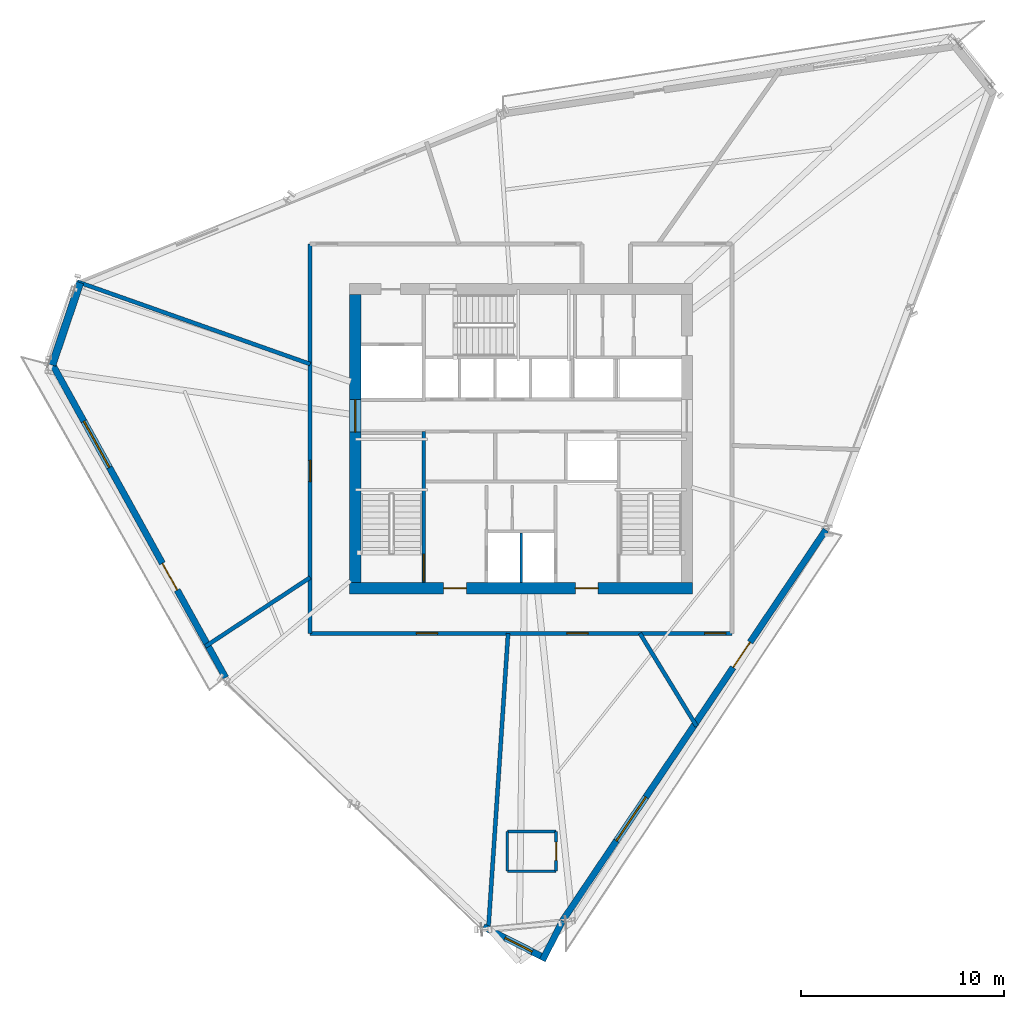
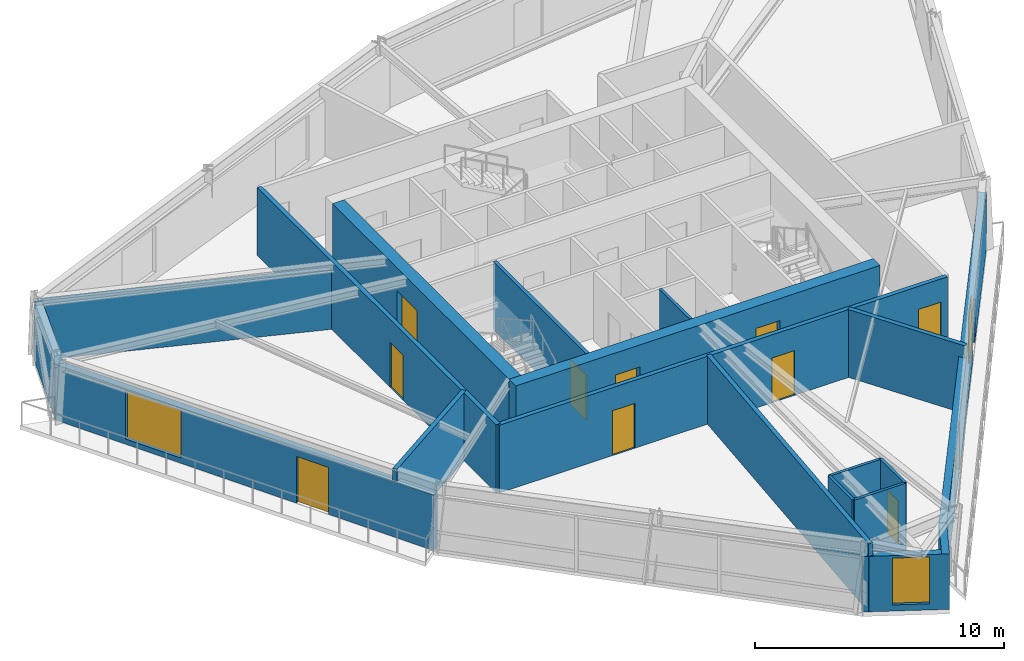
# One storey, part 8 of 13: 19 walls, 11 doors, 3 windows, 14 openings.
"""IFC4 building model written with IfcOpenShell, lengths in metres."""

import ifcopenshell
import ifcopenshell.guid

model = None  # the IFC model being written
_history = None  # IfcOwnerHistory: only IFC2X3 demands one
_inside = {}  # id of a spatial element -> (the spatial element, [elements in it])
_under = {}  # id of a project, library or spatial element -> (it, [spatial elements below it])
_declared = {}  # id of a project -> (the project, [libraries it declares])
_typed = {}  # id of a type object -> (the type object, [elements of that type])
_made_of = {}  # id of a material, layer set ... -> (it, [elements and type objects made of it])


def new_model(schema):
    """Start an empty IFC model of exactly this schema.

    Asked for "IFC4X3", IfcOpenShell would pick the latest addendum, in which some entities
    have other attributes; the version numbers below select the first issue.
    IFC2X3 requires an IfcOwnerHistory on every rooted entity: one is made here for all.
    """
    global model, _history
    if schema == "IFC4X3":
        model = ifcopenshell.file(schema_version=(4, 3, 0, 0))
    else:
        model = ifcopenshell.file(schema=schema)
    _inside.clear()
    _under.clear()
    _declared.clear()
    _typed.clear()
    _made_of.clear()
    _history = None
    if model.schema == "IFC2X3":
        org = make("IfcOrganization", Name="unknown")
        user = make(
            "IfcPersonAndOrganization",
            ThePerson=make("IfcPerson", FamilyName="unknown"),
            TheOrganization=org,
        )
        app = make(
            "IfcApplication",
            ApplicationDeveloper=org,
            Version="unknown",
            ApplicationFullName="unknown",
            ApplicationIdentifier="unknown",
        )
        _history = make(
            "IfcOwnerHistory",
            OwningUser=user,
            OwningApplication=app,
            ChangeAction="ADDED",
            CreationDate=0,
        )
    return model


def make(cls, **values):
    """One entity of the class cls with the attributes given. An attribute that is None is left unset."""
    return model.create_entity(
        cls, **{name: value for name, value in values.items() if value is not None}
    )


def rooted(cls, **values):
    """An entity with a GlobalId (a new one), such as an element, a storey or a relation."""
    return make(cls, GlobalId=ifcopenshell.guid.new(), OwnerHistory=_history, **values)


def si_unit(unit_type, name, prefix=None):
    """IfcSIUnit, for example si_unit("LENGTHUNIT", "METRE", prefix="MILLI")."""
    return make("IfcSIUnit", UnitType=unit_type, Prefix=prefix, Name=name)


def assignment(units):
    """IfcUnitAssignment: the units of a project."""
    return None if units is None else make("IfcUnitAssignment", Units=units)


def point(xyz):
    """IfcCartesianPoint."""
    return None if xyz is None else make("IfcCartesianPoint", Coordinates=xyz)


def direction(xyz):
    """IfcDirection."""
    return None if xyz is None else make("IfcDirection", DirectionRatios=xyz)


def frame(location, z_axis=None, x_axis=None):
    """IfcAxis2Placement3D, a coordinate frame: its origin and axes. An axis left out is left unset."""
    return make(
        "IfcAxis2Placement3D",
        Location=point(location),
        Axis=direction(z_axis),
        RefDirection=direction(x_axis),
    )


def frame_2d(location, x_axis=None):
    """IfcAxis2Placement2D, a coordinate frame in the plane: its origin and x axis."""
    return make(
        "IfcAxis2Placement2D", Location=point(location), RefDirection=direction(x_axis)
    )


def origin():
    """The frame at (0, 0, 0) with its axes left unset."""
    return frame((0.0, 0.0, 0.0))


def place(relative_to, where):
    """IfcLocalPlacement: puts the frame where relative to a parent placement (None: the world)."""
    return make(
        "IfcLocalPlacement", PlacementRelTo=relative_to, RelativePlacement=where
    )


def context(
    kind, dimensions, precision=None, world=None, true_north=None, identifier=None
):
    """IfcGeometricRepresentationContext, for example the 3D "Model" context."""
    return make(
        "IfcGeometricRepresentationContext",
        ContextIdentifier=identifier,
        ContextType=kind,
        CoordinateSpaceDimension=dimensions,
        Precision=precision,
        WorldCoordinateSystem=world,
        TrueNorth=true_north,
    )


def subcontext(parent, identifier, kind, view, scale=None):
    """IfcGeometricRepresentationSubContext, for example "Body" below "Model"."""
    return make(
        "IfcGeometricRepresentationSubContext",
        ContextIdentifier=identifier,
        ContextType=kind,
        ParentContext=parent,
        TargetScale=scale,
        TargetView=view,
    )


def project(units=None, contexts=None):
    """IfcProject with its units and contexts."""
    return rooted(
        "IfcProject",
        Name="project",
        RepresentationContexts=contexts,
        UnitsInContext=assignment(units),
    )


def spatial(cls, under=None, at=None, **own):
    """A site, building, storey or space (cls), placed at a placement, below another one or the project."""
    s = rooted(cls, ObjectPlacement=at, **own)
    if under is not None:
        _under.setdefault(under.id(), (under, []))[1].append(s)
    return s


def profile(cls, at=None, kind="AREA", **sizes):
    """A parametric profile (cls). Its sizes go by their IFC names, for example OverallWidth=200.0."""
    return make(cls, ProfileType=kind, Position=at, **sizes)


def rectangle(**sizes):
    """IfcRectangleProfileDef."""
    return profile("IfcRectangleProfileDef", **sizes)


def extrude(swept, where, along, depth):
    """IfcExtrudedAreaSolid: the profile swept, set in the frame where, extruded along a direction by depth."""
    return make(
        "IfcExtrudedAreaSolid",
        SweptArea=swept,
        Position=where,
        ExtrudedDirection=direction(along),
        Depth=depth,
    )


def shape(context_of_items, identifier, shape_type, items):
    """IfcShapeRepresentation: the items that make up one representation, for example the "Body"."""
    return make(
        "IfcShapeRepresentation",
        ContextOfItems=context_of_items,
        RepresentationIdentifier=identifier,
        RepresentationType=shape_type,
        Items=items,
    )


def source(mapping_origin, context_of_items, identifier, shape_type, items):
    """IfcRepresentationMap: a shape defined once, which mapped items show again and again."""
    return make(
        "IfcRepresentationMap",
        MappingOrigin=mapping_origin,
        MappedRepresentation=shape(context_of_items, identifier, shape_type, items),
    )


def transform(
    local_origin,
    x_axis=None,
    y_axis=None,
    z_axis=None,
    scale=None,
    scale2=None,
    scale3=None,
    uniform=True,
):
    """IfcCartesianTransformationOperator3D, or its non-uniform kind. x_axis, y_axis, z_axis: its Axis1, 2, 3."""
    if uniform:
        return make(
            "IfcCartesianTransformationOperator3D",
            Axis1=direction(x_axis),
            Axis2=direction(y_axis),
            LocalOrigin=point(local_origin),
            Scale=scale,
            Axis3=direction(z_axis),
        )
    return make(
        "IfcCartesianTransformationOperator3DnonUniform",
        Axis1=direction(x_axis),
        Axis2=direction(y_axis),
        LocalOrigin=point(local_origin),
        Scale=scale,
        Axis3=direction(z_axis),
        Scale2=scale2,
        Scale3=scale3,
    )


def mapped(mapping_source, mapping_target):
    """IfcMappedItem: shows the shape of a source again, moved by a transform."""
    return make(
        "IfcMappedItem", MappingSource=mapping_source, MappingTarget=mapping_target
    )


def material(Name=None, Category=None):
    """IfcMaterial."""
    return make("IfcMaterial", Name=Name, Category=Category)


def layer(
    of_material, thickness, ventilated=None, Name=None, Category=None, Priority=None
):
    """IfcMaterialLayer: one layer of a wall or slab, of a material (None: an air gap)."""
    return make(
        "IfcMaterialLayer",
        Material=of_material,
        LayerThickness=thickness,
        IsVentilated=ventilated,
        Name=Name,
        Category=Category,
        Priority=Priority,
    )


def layer_set(layers, Name=None):
    """IfcMaterialLayerSet."""
    return make("IfcMaterialLayerSet", MaterialLayers=layers, LayerSetName=Name)


def made_of(thing, what):
    """Note that an element or type object is made of a material, layer set ...; save() writes the relation."""
    if what is not None:
        _made_of.setdefault(what.id(), (what, []))[1].append(thing)
    return thing


def type_object(cls, material=None, **own):
    """A type object (cls), such as IfcWallType, which elements share."""
    return made_of(rooted(cls, **own), material)


def type_shapes(of_type, sources):
    """Give a type object the sources (RepresentationMaps) that its elements show as mapped items."""
    of_type.RepresentationMaps = sources


def element(
    cls,
    number,
    at=None,
    inside=None,
    cuts=None,
    type_object=None,
    material=None,
    context=None,
    identifier="Body",
    shape_type=None,
    held_by="IfcProductDefinitionShape",
    body=None,
    shapes=None,
    **own,
):
    """One element of the class cls, such as IfcWall. Its Tag is "e" and its number.

    at: its placement. inside: the storey or other place that contains it. cuts: it is an
    opening in that element (IfcRelVoidsElement). A single representation is given by context,
    identifier, shape_type and body (its items); several are given by shapes. held_by: the class
    of the entity that holds the representations. save() writes the other relations.
    """
    e = rooted(cls, Tag="e%d" % number, ObjectPlacement=at, **own)
    if body is not None:
        shapes = [shape(context, identifier, shape_type, body)]
    if shapes is not None:
        e.Representation = make(held_by, Representations=shapes)
    if inside is not None:
        _inside.setdefault(inside.id(), (inside, []))[1].append(e)
    if cuts is not None:
        rooted(
            "IfcRelVoidsElement", RelatingBuildingElement=cuts, RelatedOpeningElement=e
        )
    if type_object is not None:
        _typed.setdefault(type_object.id(), (type_object, []))[1].append(e)
    return made_of(e, material)


def fill(opening, filler):
    """IfcRelFillsElement: the door or window that sits in an opening."""
    return rooted(
        "IfcRelFillsElement",
        RelatingOpeningElement=opening,
        RelatedBuildingElement=filler,
    )


def aggregate(whole, parts):
    """IfcRelAggregates: a whole, such as a stair, and the parts it consists of."""
    return rooted("IfcRelAggregates", RelatingObject=whole, RelatedObjects=parts)


def save(model, path):
    """Write the relations noted so far, then the file.

    IfcRelAggregates (storeys below a building ...), IfcRelContainedInSpatialStructure (elements
    in a storey), IfcRelDefinesByType, IfcRelAssociatesMaterial and IfcRelDeclares: one each for
    every whole, place, type object, material and project.
    """
    for whole, parts in _under.values():
        aggregate(whole, parts)
    for where, things in _inside.values():
        rooted(
            "IfcRelContainedInSpatialStructure",
            RelatedElements=things,
            RelatingStructure=where,
        )
    for kind, things in _typed.values():
        rooted("IfcRelDefinesByType", RelatedObjects=things, RelatingType=kind)
    for what, things in _made_of.values():
        rooted("IfcRelAssociatesMaterial", RelatedObjects=things, RelatingMaterial=what)
    for by, libraries in _declared.values():
        rooted("IfcRelDeclares", RelatingContext=by, RelatedDefinitions=libraries)
    model.write(path)


model = new_model("IFC4")

# Units and contexts
model_context = context("Model", 3, precision=1e-05, world=origin(), true_north=direction((0.0, 1.0)))
body_context = subcontext(model_context, "Body", "Model", "MODEL_VIEW")
ifc_project = project(units=[si_unit("LENGTHUNIT", "METRE"), si_unit("AREAUNIT", "SQUARE_METRE"), si_unit("VOLUMEUNIT", "CUBIC_METRE"), si_unit("PLANEANGLEUNIT", "RADIAN"), si_unit("MASSUNIT", "GRAM", prefix="KILO")], contexts=[model_context])

# Site, building, storey
site_placement = place(None, origin())
site = spatial("IfcSite", under=ifc_project, at=site_placement, CompositionType="ELEMENT")
building_placement = place(site_placement, origin())
building = spatial("IfcBuilding", under=site, at=building_placement, Name="Olszyna Solenne Hotel", CompositionType="ELEMENT")
storey_placement = place(building_placement, frame((0.0, 0.0, 192.75)))
storey = spatial("IfcBuildingStorey", under=building, at=storey_placement, Name="L51", CompositionType="ELEMENT", Elevation=192.75)

# Wall, openings, doors
ifc_material_1 = material(Name="Concrete C50/60", Category="concrete")
ifc_layer_1 = layer(ifc_material_1, 0.550048828125, Name="Concrete C50/60")
ifc_layer_set_1 = layer_set([ifc_layer_1], Name="Concrete C50/60")
wall_type_1 = type_object("IfcWallType", Name="WL-CR550", PredefinedType="SHEAR", material=ifc_layer_set_1)
wall_1_placement = place(storey_placement, frame((46.449951171875, 19.22509765625, 0.0), z_axis=(0.0, 0.0, 1.0), x_axis=(-1.0, 0.0, 0.0)))
wall_1 = element("IfcWall", 1, at=wall_1_placement, inside=storey, type_object=wall_type_1, Name="Core shear wall WL-CR550 CRW-L51-S", PredefinedType="SHEAR", context=body_context, shape_type="SweptSolid", body=[
    extrude(rectangle(XDim=16.89990234375, YDim=0.550048828125, at=frame_2d((8.449951171875, 0.0))), origin(), (0.0, 0.0, 1.0), 3.330078125),
])
opening_1_placement = place(wall_1_placement, frame((4.64990234375, 0.0, 0.0)))
opening_1 = element("IfcOpeningElement", 2, at=opening_1_placement, cuts=wall_1, Name="Opening FL-L51-1", PredefinedType="OPENING", context=body_context, shape_type="SweptSolid", body=[
    extrude(rectangle(XDim=1.1201171875, YDim=2.25, at=frame_2d((0.56005859375, 1.125))), frame((0.0, 0.28515625, 0.0), z_axis=(0.0, -1.0, 0.0), x_axis=(1.0, 0.0, 0.0)), (0.0, 0.0, 1.0), 0.570068359375),
])
opening_2_placement = place(wall_1_placement, frame((11.14990234375, 0.0, 0.0)))
opening_2 = element("IfcOpeningElement", 3, at=opening_2_placement, cuts=wall_1, Name="Opening FL-L51-2", PredefinedType="OPENING", context=body_context, shape_type="SweptSolid", body=[
    extrude(rectangle(XDim=1.1201171875, YDim=2.25, at=frame_2d((0.56005859375, 1.125))), frame((0.0, 0.28515625, 0.0), z_axis=(0.0, -1.0, 0.0), x_axis=(1.0, 0.0, 0.0)), (0.0, 0.0, 1.0), 0.570068359375),
])
ifc_material_2 = material(Name="Steel S355J2", Category="steel")
door_type_1 = type_object("IfcDoorType", Name="DR-FL1", OperationType="NOTDEFINED", PredefinedType="DOOR", material=ifc_material_2)
shared_shape_1 = source(origin(), body_context, "Body", "SweptSolid", [
    extrude(rectangle(XDim=1.1201171875, YDim=2.25, at=frame_2d((0.56005859375, 1.125))), frame((0.0, 0.02490234375, 0.0), z_axis=(0.0, -1.0, 0.0), x_axis=(1.0, 0.0, 0.0)), (0.0, 0.0, 1.0), 0.050048828125),
])
type_shapes(door_type_1, [shared_shape_1])
door_1_placement = place(opening_1_placement, origin())
door_1 = element("IfcDoor", 4, at=door_1_placement, inside=storey, type_object=door_type_1, Name="Firefighting lift lobby smoke door FL-L51-1", OperationType="SINGLE_SWING_LEFT", OverallHeight=2.25, OverallWidth=1.1201171875, PredefinedType="DOOR", context=body_context, shape_type="MappedRepresentation", body=[
    mapped(shared_shape_1, transform((0.0, 0.0, 0.0), x_axis=(1.0, 0.0, 0.0), y_axis=(0.0, 1.0, 0.0), z_axis=(0.0, 0.0, 1.0), scale=1.0)),
])
fill(opening_1, door_1)
door_2_placement = place(opening_2_placement, origin())
door_2 = element("IfcDoor", 5, at=door_2_placement, inside=storey, type_object=door_type_1, Name="Firefighting lift lobby smoke door FL-L51-2", OperationType="SINGLE_SWING_RIGHT", OverallHeight=2.25, OverallWidth=1.1201171875, PredefinedType="DOOR", context=body_context, shape_type="MappedRepresentation", body=[
    mapped(shared_shape_1, transform((0.0, 0.0, 0.0), x_axis=(1.0, 0.0, 0.0), y_axis=(0.0, 1.0, 0.0), z_axis=(0.0, 0.0, 1.0), scale=1.0)),
])
fill(opening_2, door_2)

# Wall, opening, door
wall_2_placement = place(storey_placement, frame((29.824951171875, 19.5, 0.0), z_axis=(0.0, 0.0, 1.0), x_axis=(0.0, 1.0, 0.0)))
wall_2 = element("IfcWall", 6, at=wall_2_placement, inside=storey, type_object=wall_type_1, Name="Core shear wall WL-CR550 CRW-L51-W", PredefinedType="SHEAR", context=body_context, shape_type="SweptSolid", body=[
    extrude(rectangle(XDim=14.199951171875, YDim=0.550048828125, at=frame_2d((7.10009765625, 0.0))), origin(), (0.0, 0.0, 1.0), 3.330078125),
])
opening_3_placement = place(wall_2_placement, frame((7.419921875, 0.0, 0.0)))
opening_3 = element("IfcOpeningElement", 7, at=opening_3_placement, cuts=wall_2, Name="Opening LHD-L51-W", PredefinedType="OPENING", context=body_context, shape_type="SweptSolid", body=[
    extrude(rectangle(XDim=1.60009765625, YDim=2.199951171875, at=frame_2d((0.800048828125, 1.10009765625))), frame((0.0, 0.28515625, 0.0), z_axis=(0.0, -1.0, 0.0), x_axis=(1.0, 0.0, 0.0)), (0.0, 0.0, 1.0), 0.570068359375),
])
ifc_material_3 = material(Name="Timber hardwood", Category="wood")
door_type_2 = type_object("IfcDoorType", Name="DR-CR1", OperationType="DOUBLE_DOOR_SINGLE_SWING", PredefinedType="DOOR", material=ifc_material_3)
shared_shape_2 = source(origin(), body_context, "Body", "SweptSolid", [
    extrude(rectangle(XDim=1.60009765625, YDim=2.199951171875, at=frame_2d((0.800048828125, 1.10009765625))), frame((0.0, 0.02490234375, 0.0), z_axis=(0.0, -1.0, 0.0), x_axis=(1.0, 0.0, 0.0)), (0.0, 0.0, 1.0), 0.050048828125),
])
type_shapes(door_type_2, [shared_shape_2])
door_3_placement = place(opening_3_placement, origin())
door_3 = element("IfcDoor", 8, at=door_3_placement, inside=storey, type_object=door_type_2, Name="Passenger lift lobby West fire door LHD-L51-W", OperationType="DOUBLE_DOOR_SINGLE_SWING", OverallHeight=2.199951171875, OverallWidth=1.60009765625, PredefinedType="DOOR", context=body_context, shape_type="MappedRepresentation", body=[
    mapped(shared_shape_2, transform((0.0, 0.0, 0.0), x_axis=(1.0, 0.0, 0.0), y_axis=(0.0, 1.0, 0.0), z_axis=(0.0, 0.0, 1.0), scale=1.0)),
])
fill(opening_3, door_3)

# Wall, openings, door, window
ifc_material_4 = material(Name="Precast concrete C45/55", Category="concrete")
ifc_layer_2 = layer(ifc_material_4, 0.320068359375, Name="Precast concrete C45/55")
ifc_layer_set_2 = layer_set([ifc_layer_2], Name="Precast concrete C45/55")
wall_type_2 = type_object("IfcWallType", Name="WL-EX320", PredefinedType="SOLIDWALL", material=ifc_layer_set_2)
wall_3_placement = place(storey_placement, frame((53.02587890625, 22.103759765625, 0.0), z_axis=(0.0, 0.0, 1.0), x_axis=(-0.558570859801, -0.829456806941, 0.0)))
wall_3 = element("IfcWall", 9, at=wall_3_placement, inside=storey, type_object=wall_type_2, Name="Exterior terracotta-precast frame wall WL-EX320 EW-L51-01", PredefinedType="SOLIDWALL", context=body_context, shape_type="SweptSolid", body=[
    extrude(rectangle(XDim=23.223876953125, YDim=0.320068359375, at=frame_2d((11.61181640625, 0.0))), origin(), (0.0, 0.0, 1.0), 2.721923828125),
])
opening_4_placement = place(wall_3_placement, frame((6.681884765625, 0.0, 0.0)))
opening_4 = element("IfcOpeningElement", 10, at=opening_4_placement, cuts=wall_3, Name="Opening LDG-L51-3", PredefinedType="OPENING", context=body_context, shape_type="SweptSolid", body=[
    extrude(rectangle(XDim=1.5, YDim=2.300048828125, at=frame_2d((0.75, 1.14990234375))), frame((0.0, 0.169921875, 0.0), z_axis=(0.0, -1.0, 0.0), x_axis=(1.0, 0.0, 0.0)), (0.0, 0.0, 1.0), 0.340087890625),
])
opening_5_placement = place(wall_3_placement, frame((15.885986328125, 0.0, 0.251953125)))
opening_5 = element("IfcOpeningElement", 11, at=opening_5_placement, cuts=wall_3, Name="Opening WN-L51-325", PredefinedType="OPENING", context=body_context, shape_type="SweptSolid", body=[
    extrude(rectangle(XDim=2.60009765625, YDim=2.35009765625, at=frame_2d((1.300048828125, 1.175048828125))), frame((0.0, 0.169921875, 0.0), z_axis=(0.0, -1.0, 0.0), x_axis=(1.0, 0.0, 0.0)), (0.0, 0.0, 1.0), 0.340087890625),
])
ifc_material_5 = material(Name="Anodised bronze aluminium", Category="aluminium")
door_type_3 = type_object("IfcDoorType", Name="DR-LG2", OperationType="DOUBLE_DOOR_SINGLE_SWING", PredefinedType="DOOR", material=ifc_material_5)
shared_shape_3 = source(origin(), body_context, "Body", "SweptSolid", [
    extrude(rectangle(XDim=1.5, YDim=2.300048828125, at=frame_2d((0.75, 1.14990234375))), frame((0.0, 0.02490234375, 0.0), z_axis=(0.0, -1.0, 0.0), x_axis=(1.0, 0.0, 0.0)), (0.0, 0.0, 1.0), 0.050048828125),
])
type_shapes(door_type_3, [shared_shape_3])
door_4_placement = place(opening_4_placement, origin())
door_4 = element("IfcDoor", 12, at=door_4_placement, inside=storey, type_object=door_type_3, Name="Exterior loggia balcony door DR-LG2 LDG-L51-3", OperationType="DOUBLE_DOOR_SINGLE_SWING", OverallHeight=2.300048828125, OverallWidth=1.5, PredefinedType="DOOR", context=body_context, shape_type="MappedRepresentation", body=[
    mapped(shared_shape_3, transform((0.0, 0.0, 0.0), x_axis=(1.0, 0.0, 0.0), y_axis=(0.0, 1.0, 0.0), z_axis=(0.0, 0.0, 1.0), scale=1.0)),
])
fill(opening_4, door_4)
ifc_material_6 = material(Name="Low-E triple glazing", Category="glass")
window_type_1 = type_object("IfcWindowType", Name="WN-ST1", PartitioningType="SINGLE_PANEL", PredefinedType="WINDOW", material=ifc_material_6)
shared_shape_4 = source(origin(), body_context, "Body", "SweptSolid", [
    extrude(rectangle(XDim=2.60009765625, YDim=2.35009765625, at=frame_2d((1.300048828125, 1.175048828125))), frame((0.0, 0.030029296875, 0.0), z_axis=(0.0, -1.0, 0.0), x_axis=(1.0, 0.0, 0.0)), (0.0, 0.0, 1.0), 0.06005859375),
])
type_shapes(window_type_1, [shared_shape_4])
window_1_placement = place(opening_5_placement, origin())
window_1 = element("IfcWindow", 13, at=window_1_placement, inside=storey, type_object=window_type_1, Name="Loggia room window WN-ST1 WN-L51-325", OverallHeight=2.35009765625, OverallWidth=2.60009765625, PartitioningType="SINGLE_PANEL", PredefinedType="WINDOW", context=body_context, shape_type="MappedRepresentation", body=[
    mapped(shared_shape_4, transform((0.0, 0.0, 0.0), x_axis=(1.0, 0.0, 0.0), y_axis=(0.0, 1.0, 0.0), z_axis=(0.0, 0.0, 1.0), scale=1.0)),
])
fill(opening_5, window_1)

# Wall
wall_4_placement = place(storey_placement, frame((40.043701171875, 2.82373046875, 0.0), z_axis=(0.0, 0.0, 1.0), x_axis=(-0.45371363181, -0.891147541269, 0.0)))
element("IfcWall", 14, at=wall_4_placement, inside=storey, type_object=wall_type_2, Name="Exterior terracotta-precast frame wall WL-EX320 EW-L51-02", PredefinedType="SOLIDWALL", context=body_context, shape_type="SweptSolid", body=[
    extrude(rectangle(XDim=2.189453125, YDim=0.320068359375, at=frame_2d((1.0947265625, 0.0))), origin(), (0.0, 0.0, 1.0), 2.721923828125),
])

# Wall, opening, window
wall_5_placement = place(storey_placement, frame((39.265380859375, 0.942626953125, 0.0), z_axis=(0.0, 0.0, 1.0), x_axis=(-0.891429905263, 0.453158607998, 0.0)))
wall_5 = element("IfcWall", 15, at=wall_5_placement, inside=storey, type_object=wall_type_2, Name="Exterior terracotta-precast frame wall WL-EX320 EW-L51-03", PredefinedType="SOLIDWALL", context=body_context, shape_type="SweptSolid", body=[
    extrude(rectangle(XDim=3.509521484375, YDim=0.320068359375, at=frame_2d((1.7548828125, 0.0))), origin(), (0.0, 0.0, 1.0), 2.721923828125),
])
opening_6_placement = place(wall_5_placement, frame((0.804931640625, 0.0, 0.302001953125)))
opening_6 = element("IfcOpeningElement", 16, at=opening_6_placement, cuts=wall_5, Name="Opening WN-L51-326", PredefinedType="OPENING", context=body_context, shape_type="SweptSolid", body=[
    extrude(rectangle(XDim=1.5, YDim=2.300048828125, at=frame_2d((0.75, 1.14990234375))), frame((0.0, 0.169921875, 0.0), z_axis=(0.0, -1.0, 0.0), x_axis=(1.0, 0.0, 0.0)), (0.0, 0.0, 1.0), 0.340087890625),
])
window_type_2 = type_object("IfcWindowType", Name="WN-CH1", PartitioningType="SINGLE_PANEL", PredefinedType="WINDOW", material=ifc_material_6)
shared_shape_5 = source(origin(), body_context, "Body", "SweptSolid", [
    extrude(rectangle(XDim=1.5, YDim=2.300048828125, at=frame_2d((0.75, 1.14990234375))), frame((0.0, 0.030029296875, 0.0), z_axis=(0.0, -1.0, 0.0), x_axis=(1.0, 0.0, 0.0)), (0.0, 0.0, 1.0), 0.06005859375),
])
type_shapes(window_type_2, [shared_shape_5])
window_2_placement = place(opening_6_placement, origin())
window_2 = element("IfcWindow", 17, at=window_2_placement, inside=storey, type_object=window_type_2, Name="Exterior facade window WN-CH1 WN-L51-326", OverallHeight=2.300048828125, OverallWidth=1.5, PartitioningType="SINGLE_PANEL", PredefinedType="WINDOW", context=body_context, shape_type="MappedRepresentation", body=[
    mapped(shared_shape_5, transform((0.0, 0.0, 0.0), x_axis=(1.0, 0.0, 0.0), y_axis=(0.0, 1.0, 0.0), z_axis=(0.0, 0.0, 1.0), scale=1.0)),
])
fill(opening_6, window_2)

# Wall, openings, door, window
wall_6_placement = place(storey_placement, frame((23.43212890625, 14.814453125, 0.0), z_axis=(0.0, 0.0, 1.0), x_axis=(-0.483768949269, 0.87519575166, 0.0)))
wall_6 = element("IfcWall", 18, at=wall_6_placement, inside=storey, type_object=wall_type_2, Name="Exterior terracotta-precast frame wall WL-EX320 EW-L51-05", PredefinedType="SOLIDWALL", context=body_context, shape_type="SweptSolid", body=[
    extrude(rectangle(XDim=17.76416015625, YDim=0.320068359375, at=frame_2d((8.882080078125, 0.0))), origin(), (0.0, 0.0, 1.0), 2.721923828125),
])
opening_7_placement = place(wall_6_placement, frame((4.93505859375, 0.0, 0.0)))
opening_7 = element("IfcOpeningElement", 19, at=opening_7_placement, cuts=wall_6, Name="Opening LDG-L51-2", PredefinedType="OPENING", context=body_context, shape_type="SweptSolid", body=[
    extrude(rectangle(XDim=1.5, YDim=2.300048828125, at=frame_2d((0.75, 1.14990234375))), frame((0.0, 0.169921875, 0.0), z_axis=(0.0, -1.0, 0.0), x_axis=(1.0, 0.0, 0.0)), (0.0, 0.0, 1.0), 0.340087890625),
])
opening_8_placement = place(wall_6_placement, frame((11.844970703125, 0.0, 0.251953125)))
opening_8 = element("IfcOpeningElement", 20, at=opening_8_placement, cuts=wall_6, Name="Opening WN-L51-327", PredefinedType="OPENING", context=body_context, shape_type="SweptSolid", body=[
    extrude(rectangle(XDim=2.60009765625, YDim=2.35009765625, at=frame_2d((1.300048828125, 1.175048828125))), frame((0.0, 0.169921875, 0.0), z_axis=(0.0, -1.0, 0.0), x_axis=(1.0, 0.0, 0.0)), (0.0, 0.0, 1.0), 0.340087890625),
])
door_5_placement = place(opening_7_placement, origin())
door_5 = element("IfcDoor", 21, at=door_5_placement, inside=storey, type_object=door_type_3, Name="Exterior loggia balcony door DR-LG2 LDG-L51-2", OperationType="DOUBLE_DOOR_SINGLE_SWING", OverallHeight=2.300048828125, OverallWidth=1.5, PredefinedType="DOOR", context=body_context, shape_type="MappedRepresentation", body=[
    mapped(shared_shape_3, transform((0.0, 0.0, 0.0), x_axis=(1.0, 0.0, 0.0), y_axis=(0.0, 1.0, 0.0), z_axis=(0.0, 0.0, 1.0), scale=1.0)),
])
fill(opening_7, door_5)
window_3_placement = place(opening_8_placement, origin())
window_3 = element("IfcWindow", 22, at=window_3_placement, inside=storey, type_object=window_type_1, Name="Loggia room window WN-ST1 WN-L51-327", OverallHeight=2.35009765625, OverallWidth=2.60009765625, PartitioningType="SINGLE_PANEL", PredefinedType="WINDOW", context=body_context, shape_type="MappedRepresentation", body=[
    mapped(shared_shape_4, transform((0.0, 0.0, 0.0), x_axis=(1.0, 0.0, 0.0), y_axis=(0.0, 1.0, 0.0), z_axis=(0.0, 0.0, 1.0), scale=1.0)),
])
fill(opening_8, window_3)

# Walls
ifc_material_7 = material(Name="Terracotta cladding on precast concrete C45/55", Category="masonry")
ifc_layer_3 = layer(ifc_material_7, 0.3798828125, Name="Terracotta cladding on precast concrete C45/55")
ifc_layer_set_3 = layer_set([ifc_layer_3], Name="Terracotta cladding on precast concrete C45/55")
wall_type_3 = type_object("IfcWallType", Name="WL-EX380", PredefinedType="SOLIDWALL", material=ifc_layer_set_3)
wall_7_placement = place(storey_placement, frame((14.87841796875, 30.22314453125, 0.0), z_axis=(0.0, 0.0, 1.0), x_axis=(0.320555378546, 0.947229776393, 0.0)))
element("IfcWall", 23, at=wall_7_placement, inside=storey, type_object=wall_type_3, Name="Exterior terracotta-precast frame wall WL-EX380 EW-L51-06", PredefinedType="SOLIDWALL", context=body_context, shape_type="SweptSolid", body=[
    extrude(rectangle(XDim=4.29541015625, YDim=0.3798828125, at=frame_2d((2.147705078125, 0.0))), origin(), (0.0, 0.0, 1.0), 2.721923828125),
])
ifc_material_8 = material(Name="Acoustic gypsum partition", Category="gypsum")
ifc_layer_4 = layer(ifc_material_8, 0.125, Name="Acoustic gypsum partition")
ifc_layer_set_4 = layer_set([ifc_layer_4], Name="Acoustic gypsum partition")
wall_type_4 = type_object("IfcWallType", Name="WL-PT125", PredefinedType="PARTITIONING", material=ifc_layer_set_4)
wall_8_placement = place(storey_placement, frame((38.0, 19.5, 0.0), z_axis=(0.0, 0.0, 1.0), x_axis=(0.0, 1.0, 0.0)))
element("IfcWall", 24, at=wall_8_placement, inside=storey, type_object=wall_type_4, Name="Core shaft compartment wall CW-L51-FFM", PredefinedType="PARTITIONING", context=body_context, shape_type="SweptSolid", body=[
    extrude(rectangle(XDim=2.4599609375, YDim=0.125, at=frame_2d((1.22998046875, 0.0))), origin(), (0.0, 0.0, 1.0), 3.330078125),
])

# Wall, opening, door
wall_9_placement = place(storey_placement, frame((39.721923828125, 5.281005859375, 0.0), z_axis=(0.0, 0.0, 1.0), x_axis=(0.0, 1.0, 0.0)))
wall_9 = element("IfcWall", 25, at=wall_9_placement, inside=storey, type_object=wall_type_4, Name="Interior acoustic partition WL-PT125 PW-L51-2890", PredefinedType="PARTITIONING", context=body_context, shape_type="SweptSolid", body=[
    extrude(rectangle(XDim=1.949951171875, YDim=0.125, at=frame_2d((0.97509765625, 0.0))), origin(), (0.0, 0.0, 1.0), 3.330078125),
])
opening_9_placement = place(wall_9_placement, frame((0.52490234375, 0.0, 0.0)))
opening_9 = element("IfcOpeningElement", 26, at=opening_9_placement, cuts=wall_9, Name="Opening DR-L51-0702", PredefinedType="OPENING", context=body_context, shape_type="SweptSolid", body=[
    extrude(rectangle(XDim=0.89990234375, YDim=2.10009765625, at=frame_2d((0.449951171875, 1.050048828125))), frame((0.0, 0.072509765625, 0.0), z_axis=(0.0, -1.0, 0.0), x_axis=(1.0, 0.0, 0.0)), (0.0, 0.0, 1.0), 0.14501953125),
])
door_type_4 = type_object("IfcDoorType", Name="DR-WC1", OperationType="NOTDEFINED", PredefinedType="DOOR", material=ifc_material_3)
shared_shape_6 = source(origin(), body_context, "Body", "SweptSolid", [
    extrude(rectangle(XDim=0.89990234375, YDim=2.10009765625, at=frame_2d((0.449951171875, 1.050048828125))), frame((0.0, 0.02490234375, 0.0), z_axis=(0.0, -1.0, 0.0), x_axis=(1.0, 0.0, 0.0)), (0.0, 0.0, 1.0), 0.050048828125),
])
type_shapes(door_type_4, [shared_shape_6])
door_6_placement = place(opening_9_placement, origin())
door_6 = element("IfcDoor", 27, at=door_6_placement, inside=storey, type_object=door_type_4, Name="En-Suite Bathroom Door DR-L51-0702", OperationType="SINGLE_SWING_RIGHT", OverallHeight=2.10009765625, OverallWidth=0.89990234375, PredefinedType="DOOR", context=body_context, shape_type="MappedRepresentation", body=[
    mapped(shared_shape_6, transform((0.0, 0.0, 0.0), x_axis=(1.0, 0.0, 0.0), y_axis=(0.0, 1.0, 0.0), z_axis=(0.0, 0.0, 1.0), scale=1.0)),
])
fill(opening_9, door_6)

# Walls
wall_10_placement = place(storey_placement, frame((39.721923828125, 7.23095703125, 0.0), z_axis=(0.0, 0.0, 1.0), x_axis=(-1.0, 0.0, 0.0)))
element("IfcWall", 28, at=wall_10_placement, inside=storey, type_object=wall_type_4, Name="Interior acoustic partition WL-PT125 PW-L51-2891", PredefinedType="PARTITIONING", context=body_context, shape_type="SweptSolid", body=[
    extrude(rectangle(XDim=2.39990234375, YDim=0.125, at=frame_2d((1.199951171875, 0.0))), origin(), (0.0, 0.0, 1.0), 3.330078125),
])
wall_11_placement = place(storey_placement, frame((37.322021484375, 7.23095703125, 0.0), z_axis=(0.0, 0.0, 1.0), x_axis=(0.0, -1.0, 0.0)))
element("IfcWall", 29, at=wall_11_placement, inside=storey, type_object=wall_type_4, Name="Interior acoustic partition WL-PT125 PW-L51-2892", PredefinedType="PARTITIONING", context=body_context, shape_type="SweptSolid", body=[
    extrude(rectangle(XDim=1.949951171875, YDim=0.125, at=frame_2d((0.97509765625, 0.0))), origin(), (0.0, 0.0, 1.0), 3.330078125),
])
wall_12_placement = place(storey_placement, frame((37.322021484375, 5.281005859375, 0.0), z_axis=(0.0, 0.0, 1.0), x_axis=(1.0, 0.0, 0.0)))
element("IfcWall", 30, at=wall_12_placement, inside=storey, type_object=wall_type_4, Name="Interior acoustic partition WL-PT125 PW-L51-2893", PredefinedType="PARTITIONING", context=body_context, shape_type="SweptSolid", body=[
    extrude(rectangle(XDim=2.39990234375, YDim=0.125, at=frame_2d((1.199951171875, 0.0))), origin(), (0.0, 0.0, 1.0), 3.330078125),
])

# Wall, opening, door
ifc_layer_5 = layer(ifc_material_8, 0.159912109375, Name="Acoustic gypsum partition")
ifc_layer_set_5 = layer_set([ifc_layer_5], Name="Acoustic gypsum partition")
wall_type_5 = type_object("IfcWallType", Name="WL-PT160", PredefinedType="PARTITIONING", material=ifc_layer_set_5)
wall_13_placement = place(storey_placement, frame((33.199951171875, 19.5, 0.0), z_axis=(0.0, 0.0, 1.0), x_axis=(0.0, 1.0, 0.0)))
wall_13 = element("IfcWall", 31, at=wall_13_placement, inside=storey, type_object=wall_type_5, Name="Core shaft compartment wall CW-L51-ST1E", PredefinedType="PARTITIONING", context=body_context, shape_type="SweptSolid", body=[
    extrude(rectangle(XDim=7.4599609375, YDim=0.159912109375, at=frame_2d((3.72998046875, 0.0))), origin(), (0.0, 0.0, 1.0), 3.330078125),
])
opening_10_placement = place(wall_13_placement, frame((0.080078125, 0.0, 0.0)))
opening_10 = element("IfcOpeningElement", 32, at=opening_10_placement, cuts=wall_13, Name="Opening STD-L51-01", PredefinedType="OPENING", context=body_context, shape_type="SweptSolid", body=[
    extrude(rectangle(XDim=1.320068359375, YDim=2.199951171875, at=frame_2d((0.66015625, 1.10009765625))), frame((0.0, 0.08984375, 0.0), z_axis=(0.0, -1.0, 0.0), x_axis=(1.0, 0.0, 0.0)), (0.0, 0.0, 1.0), 0.179931640625),
])
door_type_5 = type_object("IfcDoorType", Name="DR-ST1", OperationType="NOTDEFINED", PredefinedType="DOOR", material=ifc_material_2)
shared_shape_7 = source(origin(), body_context, "Body", "SweptSolid", [
    extrude(rectangle(XDim=1.320068359375, YDim=2.199951171875, at=frame_2d((0.66015625, 1.10009765625))), frame((0.0, 0.02490234375, 0.0), z_axis=(0.0, -1.0, 0.0), x_axis=(1.0, 0.0, 0.0)), (0.0, 0.0, 1.0), 0.050048828125),
])
type_shapes(door_type_5, [shared_shape_7])
door_7_placement = place(opening_10_placement, origin())
door_7 = element("IfcDoor", 33, at=door_7_placement, inside=storey, type_object=door_type_5, Name="Pressurised exit stair ST1 fire door STD-L51-01", OperationType="SINGLE_SWING_LEFT", OverallHeight=2.199951171875, OverallWidth=1.320068359375, PredefinedType="DOOR", context=body_context, shape_type="MappedRepresentation", body=[
    mapped(shared_shape_7, transform((0.0, 0.0, 0.0), x_axis=(1.0, 0.0, 0.0), y_axis=(0.0, 1.0, 0.0), z_axis=(0.0, 0.0, 1.0), scale=1.0)),
])
fill(opening_10, door_7)

# Walls
ifc_layer_6 = layer(ifc_material_8, 0.199951171875, Name="Acoustic gypsum partition")
ifc_layer_set_6 = layer_set([ifc_layer_6], Name="Acoustic gypsum partition")
wall_type_6 = type_object("IfcWallType", Name="WL-PT200", PredefinedType="PARTITIONING", material=ifc_layer_set_6)
wall_14_placement = place(storey_placement, frame((43.85986328125, 17.0, 0.0), z_axis=(0.0, 0.0, 1.0), x_axis=(0.521004990477, -0.853553630359, 0.0)))
element("IfcWall", 34, at=wall_14_placement, inside=storey, type_object=wall_type_6, Name="Interior acoustic partition WL-PT200 PW-L51-2883", PredefinedType="PARTITIONING", context=body_context, shape_type="SweptSolid", body=[
    extrude(rectangle(XDim=5.37109375, YDim=0.199951171875, at=frame_2d((2.685546875, 0.0))), origin(), (0.0, 0.0, 1.0), 3.330078125),
])
wall_15_placement = place(storey_placement, frame((27.60009765625, 30.276611328125, 0.0), z_axis=(0.0, 0.0, 1.0), x_axis=(-0.942818521108, 0.333306519972, 0.0)))
element("IfcWall", 35, at=wall_15_placement, inside=storey, type_object=wall_type_6, Name="Interior acoustic partition WL-PT200 PW-L51-2887", PredefinedType="PARTITIONING", context=body_context, shape_type="SweptSolid", body=[
    extrude(rectangle(XDim=12.18115234375, YDim=0.199951171875, at=frame_2d((6.090576171875, 0.0))), origin(), (0.0, 0.0, 1.0), 2.925048828125),
])
wall_16_placement = place(storey_placement, frame((27.60009765625, 19.75390625, 0.0), z_axis=(0.0, 0.0, 1.0), x_axis=(-0.835254425116, -0.549863660668, 0.0)))
element("IfcWall", 36, at=wall_16_placement, inside=storey, type_object=wall_type_6, Name="Interior acoustic partition WL-PT200 PW-L51-2888", PredefinedType="PARTITIONING", context=body_context, shape_type="SweptSolid", body=[
    extrude(rectangle(XDim=6.185791015625, YDim=0.199951171875, at=frame_2d((3.0927734375, 0.0))), origin(), (0.0, 0.0, 1.0), 3.330078125),
])
wall_17_placement = place(storey_placement, frame((37.359375, 17.0, 0.0), z_axis=(0.0, 0.0, 1.0), x_axis=(-0.066576069222, -0.997781352305, 0.0)))
element("IfcWall", 37, at=wall_17_placement, inside=storey, type_object=wall_type_6, Name="Interior acoustic partition WL-PT200 PW-L51-2889", PredefinedType="PARTITIONING", context=body_context, shape_type="SweptSolid", body=[
    extrude(rectangle(XDim=14.767333984375, YDim=0.199951171875, at=frame_2d((7.3837890625, 0.0))), origin(), (0.0, 0.0, 1.0), 3.330078125),
])

# Wall, openings, doors
wall_18_placement = place(storey_placement, frame((27.60009765625, 17.0, 0.0), z_axis=(0.0, 0.0, 1.0), x_axis=(1.0, 0.0, 0.0)))
wall_18 = element("IfcWall", 38, at=wall_18_placement, inside=storey, type_object=wall_type_6, Name="Interior acoustic partition WL-PT200 PW-L51-2894", PredefinedType="PARTITIONING", context=body_context, shape_type="SweptSolid", body=[
    extrude(rectangle(XDim=20.7998046875, YDim=0.199951171875, at=frame_2d((10.39990234375, 0.0))), origin(), (0.0, 0.0, 1.0), 3.330078125),
])
opening_11_placement = place(wall_18_placement, frame((19.449951171875, 0.0, 0.0)))
opening_11 = element("IfcOpeningElement", 39, at=opening_11_placement, cuts=wall_18, Name="Opening DR-L51-0703", PredefinedType="OPENING", context=body_context, shape_type="SweptSolid", body=[
    extrude(rectangle(XDim=1.050048828125, YDim=2.199951171875, at=frame_2d((0.52490234375, 1.10009765625))), frame((0.0, 0.10986328125, 0.0), z_axis=(0.0, -1.0, 0.0), x_axis=(1.0, 0.0, 0.0)), (0.0, 0.0, 1.0), 0.219970703125),
])
opening_12_placement = place(wall_18_placement, frame((5.239013671875, 0.0, 0.0)))
opening_12 = element("IfcOpeningElement", 40, at=opening_12_placement, cuts=wall_18, Name="Opening DR-L51-0704", PredefinedType="OPENING", context=body_context, shape_type="SweptSolid", body=[
    extrude(rectangle(XDim=1.050048828125, YDim=2.199951171875, at=frame_2d((0.52490234375, 1.10009765625))), frame((0.0, 0.10986328125, 0.0), z_axis=(0.0, -1.0, 0.0), x_axis=(1.0, 0.0, 0.0)), (0.0, 0.0, 1.0), 0.219970703125),
])
opening_13_placement = place(wall_18_placement, frame((12.653076171875, 0.0, 0.0)))
opening_13 = element("IfcOpeningElement", 41, at=opening_13_placement, cuts=wall_18, Name="Opening DR-L51-0705", PredefinedType="OPENING", context=body_context, shape_type="SweptSolid", body=[
    extrude(rectangle(XDim=1.050048828125, YDim=2.199951171875, at=frame_2d((0.52490234375, 1.10009765625))), frame((0.0, 0.10986328125, 0.0), z_axis=(0.0, -1.0, 0.0), x_axis=(1.0, 0.0, 0.0)), (0.0, 0.0, 1.0), 0.219970703125),
])
door_type_6 = type_object("IfcDoorType", Name="DR-RM2", OperationType="NOTDEFINED", PredefinedType="DOOR", material=ifc_material_3)
shared_shape_8 = source(origin(), body_context, "Body", "SweptSolid", [
    extrude(rectangle(XDim=1.050048828125, YDim=2.199951171875, at=frame_2d((0.52490234375, 1.10009765625))), frame((0.0, 0.02490234375, 0.0), z_axis=(0.0, -1.0, 0.0), x_axis=(1.0, 0.0, 0.0)), (0.0, 0.0, 1.0), 0.050048828125),
])
type_shapes(door_type_6, [shared_shape_8])
door_8_placement = place(opening_11_placement, origin())
door_8 = element("IfcDoor", 42, at=door_8_placement, inside=storey, type_object=door_type_6, Name="Executive Club Lounge Entrance Door DR-L51-0703", OperationType="SINGLE_SWING_RIGHT", OverallHeight=2.199951171875, OverallWidth=1.050048828125, PredefinedType="DOOR", context=body_context, shape_type="MappedRepresentation", body=[
    mapped(shared_shape_8, transform((0.0, 0.0, 0.0), x_axis=(1.0, 0.0, 0.0), y_axis=(0.0, 1.0, 0.0), z_axis=(0.0, 0.0, 1.0), scale=1.0)),
])
fill(opening_11, door_8)
door_9_placement = place(opening_12_placement, origin())
door_9 = element("IfcDoor", 43, at=door_9_placement, inside=storey, type_object=door_type_6, Name="Conference Boardroom Entrance Door DR-L51-0704", OperationType="SINGLE_SWING_LEFT", OverallHeight=2.199951171875, OverallWidth=1.050048828125, PredefinedType="DOOR", context=body_context, shape_type="MappedRepresentation", body=[
    mapped(shared_shape_8, transform((0.0, 0.0, 0.0), x_axis=(1.0, 0.0, 0.0), y_axis=(0.0, 1.0, 0.0), z_axis=(0.0, 0.0, 1.0), scale=1.0)),
])
fill(opening_12, door_9)
door_10_placement = place(opening_13_placement, origin())
door_10 = element("IfcDoor", 44, at=door_10_placement, inside=storey, type_object=door_type_6, Name="Executive Reading Salon Entrance Door DR-L51-0705", OperationType="SINGLE_SWING_RIGHT", OverallHeight=2.199951171875, OverallWidth=1.050048828125, PredefinedType="DOOR", context=body_context, shape_type="MappedRepresentation", body=[
    mapped(shared_shape_8, transform((0.0, 0.0, 0.0), x_axis=(1.0, 0.0, 0.0), y_axis=(0.0, 1.0, 0.0), z_axis=(0.0, 0.0, 1.0), scale=1.0)),
])
fill(opening_13, door_10)

# Wall, opening, door
wall_19_placement = place(storey_placement, frame((27.60009765625, 17.0, 0.0), z_axis=(0.0, 0.0, 1.0), x_axis=(0.0, 1.0, 0.0)))
wall_19 = element("IfcWall", 45, at=wall_19_placement, inside=storey, type_object=wall_type_6, Name="Interior acoustic partition WL-PT200 PW-L51-2895", PredefinedType="PARTITIONING", context=body_context, shape_type="SweptSolid", body=[
    extrude(rectangle(XDim=19.199951171875, YDim=0.199951171875, at=frame_2d((9.60009765625, 0.0))), origin(), (0.0, 0.0, 1.0), 3.330078125),
])
opening_14_placement = place(wall_19_placement, frame((7.47509765625, 0.0, 0.0)))
opening_14 = element("IfcOpeningElement", 46, at=opening_14_placement, cuts=wall_19, Name="Opening DR-L51-0706", PredefinedType="OPENING", context=body_context, shape_type="SweptSolid", body=[
    extrude(rectangle(XDim=1.050048828125, YDim=2.199951171875, at=frame_2d((0.52490234375, 1.10009765625))), frame((0.0, 0.10986328125, 0.0), z_axis=(0.0, -1.0, 0.0), x_axis=(1.0, 0.0, 0.0)), (0.0, 0.0, 1.0), 0.219970703125),
])
door_11_placement = place(opening_14_placement, origin())
door_11 = element("IfcDoor", 47, at=door_11_placement, inside=storey, type_object=door_type_6, Name="Conference Boardroom Entrance Door DR-L51-0706", OperationType="SINGLE_SWING_RIGHT", OverallHeight=2.199951171875, OverallWidth=1.050048828125, PredefinedType="DOOR", context=body_context, shape_type="MappedRepresentation", body=[
    mapped(shared_shape_8, transform((0.0, 0.0, 0.0), x_axis=(1.0, 0.0, 0.0), y_axis=(0.0, 1.0, 0.0), z_axis=(0.0, 0.0, 1.0), scale=1.0)),
])
fill(opening_14, door_11)

save(model, "model.ifc")
